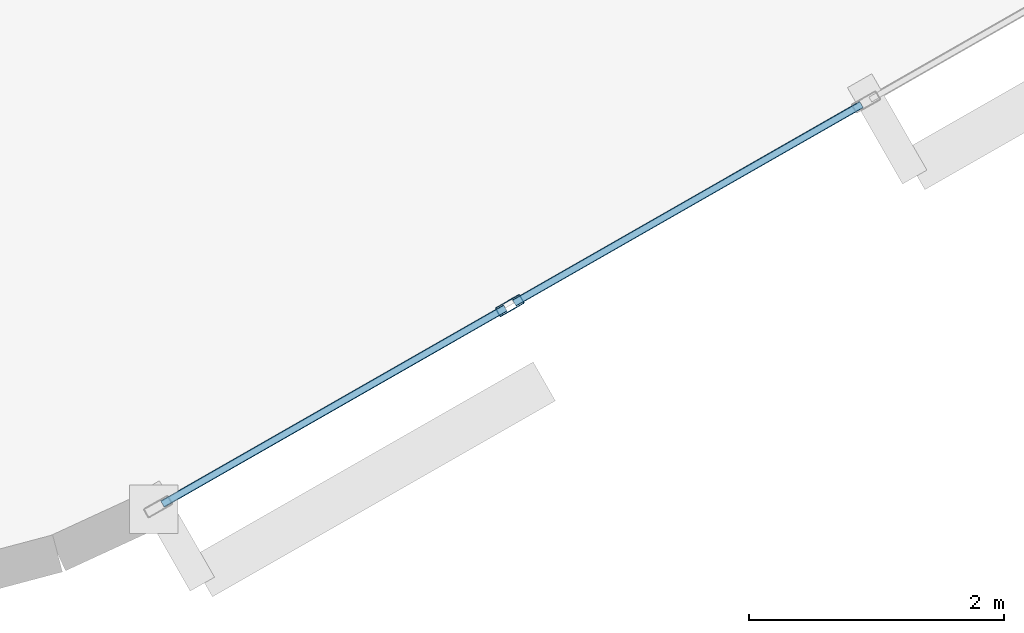
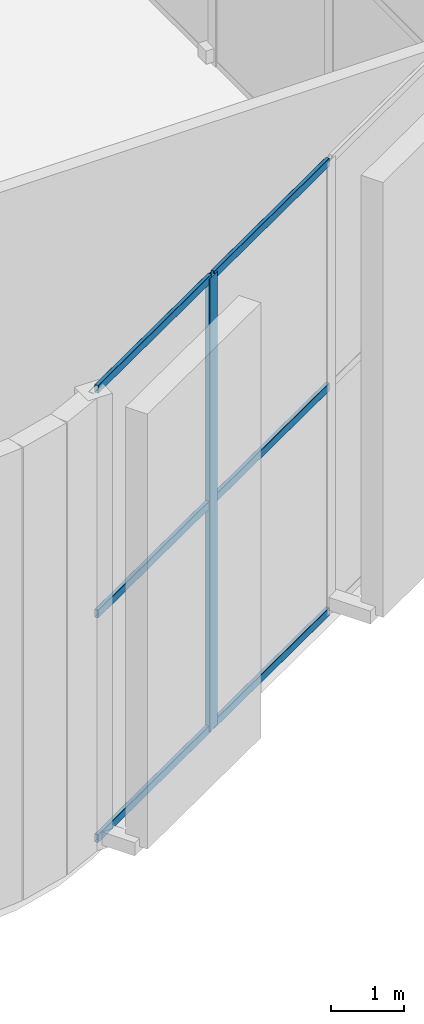
# One storey, part 12 of 22: 7 members, 1 element without a shape of its own.
"""IFC4 building model written with IfcOpenShell, lengths in metres."""

from ifc_helpers import new_model, si_unit, direction, frame, origin, origin_2d, place, context, subcontext, project, spatial, hollow_rectangle, extrude, material, layer, layer_set, material_profile, profile_set, type_object, element, aggregate, save


model = new_model("IFC4")

# Units and contexts
model_context = context("Model", 3, precision=1e-05, world=origin(), true_north=direction((0.0, 1.0)))
body_context = subcontext(model_context, "Body", "Model", "MODEL_VIEW")
ifc_project = project(units=[si_unit("LENGTHUNIT", "METRE"), si_unit("AREAUNIT", "SQUARE_METRE"), si_unit("VOLUMEUNIT", "CUBIC_METRE"), si_unit("PLANEANGLEUNIT", "RADIAN"), si_unit("MASSUNIT", "GRAM", prefix="KILO")], contexts=[model_context])

# Site, building, storey
site_placement = place(None, origin())
site = spatial("IfcSite", under=ifc_project, at=site_placement, CompositionType="ELEMENT")
building_placement = place(site_placement, origin())
building = spatial("IfcBuilding", under=site, at=building_placement, Name="An Khanh Terracotta Commons", CompositionType="ELEMENT")
storey_placement = place(building_placement, frame((0.0, 0.0, 300.39990234375)))
storey = spatial("IfcBuildingStorey", under=building, at=storey_placement, Name="L78 Crown Damper Chamber", CompositionType="ELEMENT", Elevation=300.39990234375)

# Curtain wall, members
ifc_material = material(Name="Anodised Aluminium 6063-T6", Category="aluminium")
ifc_layer = layer(ifc_material, 0.25, Name="Anodised Aluminium 6063-T6")
ifc_layer_set = layer_set([ifc_layer], Name="Anodised Aluminium 6063-T6")
curtain_wall_type = type_object("IfcCurtainWallType", Name="CW-SYS-05", PredefinedType="USERDEFINED", material=ifc_layer_set)
curtain_wall_placement = place(storey_placement, origin())
curtain_wall = element("IfcCurtainWall", 1, at=curtain_wall_placement, inside=storey, type_object=curtain_wall_type, Name="L78 Crown Damper Chamber CW-05 Unitised Curtain Wall CW-L78-08", ObjectType="UNITISED CURTAIN WALL", PredefinedType="USERDEFINED")
ifc_material_profile_1 = material_profile(ifc_material, hollow_rectangle(XDim=0.080078125, YDim=0.219970703125, WallThickness=0.0048828125, InnerFilletRadius=0.0048828125, OuterFilletRadius=0.010009765625, at=origin_2d()), Name="RHS220x80x5")
ifc_profile_set_1 = profile_set([ifc_material_profile_1], Name="Anodised Aluminium 6063-T6")
member_type_1 = type_object("IfcMemberType", Name="CWM-RHS220x80x5", PredefinedType="MULLION", material=ifc_profile_set_1)
member_1_placement = place(storey_placement, frame((65.3984375, 11.827392578125, 0.0), z_axis=(0.0, 0.0, 1.0), x_axis=(-0.496205929228, 0.868204858198, 0.0)))
member_1 = element("IfcMember", 2, at=member_1_placement, type_object=member_type_1, Name="CW-05 mullion 2", PredefinedType="MULLION", context=body_context, shape_type="SweptSolid", body=[
    extrude(hollow_rectangle(XDim=0.080078125, YDim=0.219970703125, WallThickness=0.0048828125, InnerFilletRadius=0.0048828125, OuterFilletRadius=0.010009765625, at=origin_2d()), origin(), (0.0, 0.0, 1.0), 7.60009765625),
])
ifc_material_profile_2 = material_profile(ifc_material, hollow_rectangle(XDim=0.06005859375, YDim=0.135009765625, WallThickness=0.003662109375, InnerFilletRadius=0.003662109375, OuterFilletRadius=0.007080078125, at=origin_2d()), Name="RHS135x60x3.6")
ifc_profile_set_2 = profile_set([ifc_material_profile_2], Name="Anodised Aluminium 6063-T6")
member_type_2 = type_object("IfcMemberType", Name="CWT-RHS135x60x3.6", PredefinedType="USERDEFINED", material=ifc_profile_set_2)
member_2_placement = place(storey_placement, frame((62.676513671875, 10.271728515625, 0.030029296875), z_axis=(0.868214013668, 0.496189909683, 0.0), x_axis=(-0.496189909683, 0.868214013668, 0.0)))
member_2 = element("IfcMember", 3, at=member_2_placement, type_object=member_type_2, Name="CW-05 transom 1.1", ObjectType="TRANSOM", PredefinedType="USERDEFINED", context=body_context, shape_type="SweptSolid", body=[
    extrude(hollow_rectangle(XDim=0.06005859375, YDim=0.135009765625, WallThickness=0.003662109375, InnerFilletRadius=0.003662109375, OuterFilletRadius=0.007080078125, at=origin_2d()), origin(), (0.0, 0.0, 1.0), 3.094970703125),
])
member_3_placement = place(storey_placement, frame((62.676513671875, 10.271728515625, 3.800048828125), z_axis=(0.868214013668, 0.496189909683, 0.0), x_axis=(-0.496189909683, 0.868214013668, 0.0)))
member_3 = element("IfcMember", 4, at=member_3_placement, type_object=member_type_2, Name="CW-05 transom 1.2", ObjectType="TRANSOM", PredefinedType="USERDEFINED", context=body_context, shape_type="SweptSolid", body=[
    extrude(hollow_rectangle(XDim=0.06005859375, YDim=0.135009765625, WallThickness=0.003662109375, InnerFilletRadius=0.003662109375, OuterFilletRadius=0.007080078125, at=origin_2d()), origin(), (0.0, 0.0, 1.0), 3.094970703125),
])
member_4_placement = place(storey_placement, frame((62.676513671875, 10.271728515625, 7.570068359375), z_axis=(0.868214013668, 0.496189909683, 0.0), x_axis=(-0.496189909683, 0.868214013668, 0.0)))
member_4 = element("IfcMember", 5, at=member_4_placement, type_object=member_type_2, Name="CW-05 transom 1.3", ObjectType="TRANSOM", PredefinedType="USERDEFINED", context=body_context, shape_type="SweptSolid", body=[
    extrude(hollow_rectangle(XDim=0.06005859375, YDim=0.135009765625, WallThickness=0.003662109375, InnerFilletRadius=0.003662109375, OuterFilletRadius=0.007080078125, at=origin_2d()), origin(), (0.0, 0.0, 1.0), 3.094970703125),
])
member_5_placement = place(storey_placement, frame((65.43310546875, 11.84716796875, 0.030029296875), z_axis=(0.868204802112, 0.496206027362, 0.0), x_axis=(-0.496206027362, 0.868204802112, 0.0)))
member_5 = element("IfcMember", 6, at=member_5_placement, type_object=member_type_2, Name="CW-05 transom 2.1", ObjectType="TRANSOM", PredefinedType="USERDEFINED", context=body_context, shape_type="SweptSolid", body=[
    extrude(hollow_rectangle(XDim=0.06005859375, YDim=0.135009765625, WallThickness=0.003662109375, InnerFilletRadius=0.003662109375, OuterFilletRadius=0.007080078125, at=origin_2d()), origin(), (0.0, 0.0, 1.0), 3.135009765625),
])
member_6_placement = place(storey_placement, frame((65.43310546875, 11.84716796875, 3.800048828125), z_axis=(0.868204802112, 0.496206027362, 0.0), x_axis=(-0.496206027362, 0.868204802112, 0.0)))
member_6 = element("IfcMember", 7, at=member_6_placement, type_object=member_type_2, Name="CW-05 transom 2.2", ObjectType="TRANSOM", PredefinedType="USERDEFINED", context=body_context, shape_type="SweptSolid", body=[
    extrude(hollow_rectangle(XDim=0.06005859375, YDim=0.135009765625, WallThickness=0.003662109375, InnerFilletRadius=0.003662109375, OuterFilletRadius=0.007080078125, at=origin_2d()), origin(), (0.0, 0.0, 1.0), 3.135009765625),
])
member_7_placement = place(storey_placement, frame((65.43310546875, 11.84716796875, 7.570068359375), z_axis=(0.868204802112, 0.496206027362, 0.0), x_axis=(-0.496206027362, 0.868204802112, 0.0)))
member_7 = element("IfcMember", 8, at=member_7_placement, type_object=member_type_2, Name="CW-05 transom 2.3", ObjectType="TRANSOM", PredefinedType="USERDEFINED", context=body_context, shape_type="SweptSolid", body=[
    extrude(hollow_rectangle(XDim=0.06005859375, YDim=0.135009765625, WallThickness=0.003662109375, InnerFilletRadius=0.003662109375, OuterFilletRadius=0.007080078125, at=origin_2d()), origin(), (0.0, 0.0, 1.0), 3.135009765625),
])
aggregate(curtain_wall, [member_1, member_2, member_3, member_4, member_5, member_6, member_7])

save(model, "model.ifc")
